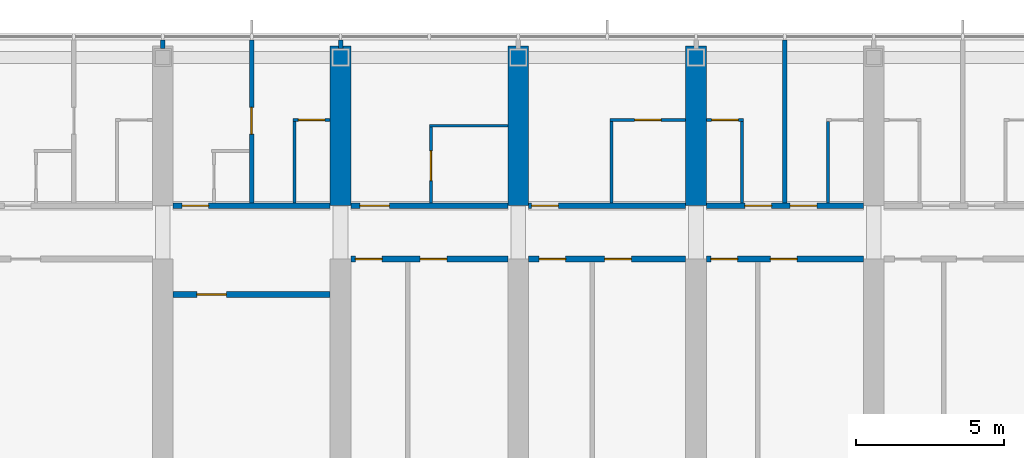
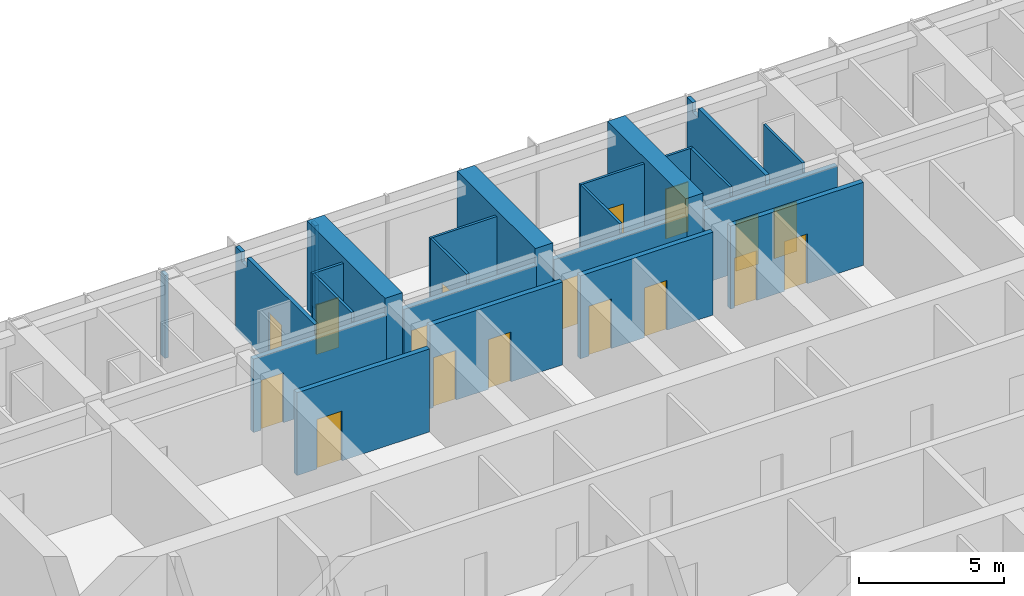
# One storey, part 17 of 24: 24 walls, 17 doors, 17 openings.
"""IFC4 building model written with IfcOpenShell, lengths in metres."""

import ifcopenshell
import ifcopenshell.guid

model = None  # the IFC model being written
_history = None  # IfcOwnerHistory: only IFC2X3 demands one
_inside = {}  # id of a spatial element -> (the spatial element, [elements in it])
_under = {}  # id of a project, library or spatial element -> (it, [spatial elements below it])
_declared = {}  # id of a project -> (the project, [libraries it declares])
_typed = {}  # id of a type object -> (the type object, [elements of that type])
_made_of = {}  # id of a material, layer set ... -> (it, [elements and type objects made of it])


def new_model(schema):
    """Start an empty IFC model of exactly this schema.

    Asked for "IFC4X3", IfcOpenShell would pick the latest addendum, in which some entities
    have other attributes; the version numbers below select the first issue.
    IFC2X3 requires an IfcOwnerHistory on every rooted entity: one is made here for all.
    """
    global model, _history
    if schema == "IFC4X3":
        model = ifcopenshell.file(schema_version=(4, 3, 0, 0))
    else:
        model = ifcopenshell.file(schema=schema)
    _inside.clear()
    _under.clear()
    _declared.clear()
    _typed.clear()
    _made_of.clear()
    _history = None
    if model.schema == "IFC2X3":
        org = make("IfcOrganization", Name="unknown")
        user = make(
            "IfcPersonAndOrganization",
            ThePerson=make("IfcPerson", FamilyName="unknown"),
            TheOrganization=org,
        )
        app = make(
            "IfcApplication",
            ApplicationDeveloper=org,
            Version="unknown",
            ApplicationFullName="unknown",
            ApplicationIdentifier="unknown",
        )
        _history = make(
            "IfcOwnerHistory",
            OwningUser=user,
            OwningApplication=app,
            ChangeAction="ADDED",
            CreationDate=0,
        )
    return model


def make(cls, **values):
    """One entity of the class cls with the attributes given. An attribute that is None is left unset."""
    return model.create_entity(
        cls, **{name: value for name, value in values.items() if value is not None}
    )


def rooted(cls, **values):
    """An entity with a GlobalId (a new one), such as an element, a storey or a relation."""
    return make(cls, GlobalId=ifcopenshell.guid.new(), OwnerHistory=_history, **values)


def si_unit(unit_type, name, prefix=None):
    """IfcSIUnit, for example si_unit("LENGTHUNIT", "METRE", prefix="MILLI")."""
    return make("IfcSIUnit", UnitType=unit_type, Prefix=prefix, Name=name)


def assignment(units):
    """IfcUnitAssignment: the units of a project."""
    return None if units is None else make("IfcUnitAssignment", Units=units)


def point(xyz):
    """IfcCartesianPoint."""
    return None if xyz is None else make("IfcCartesianPoint", Coordinates=xyz)


def direction(xyz):
    """IfcDirection."""
    return None if xyz is None else make("IfcDirection", DirectionRatios=xyz)


def frame(location, z_axis=None, x_axis=None):
    """IfcAxis2Placement3D, a coordinate frame: its origin and axes. An axis left out is left unset."""
    return make(
        "IfcAxis2Placement3D",
        Location=point(location),
        Axis=direction(z_axis),
        RefDirection=direction(x_axis),
    )


def frame_2d(location, x_axis=None):
    """IfcAxis2Placement2D, a coordinate frame in the plane: its origin and x axis."""
    return make(
        "IfcAxis2Placement2D", Location=point(location), RefDirection=direction(x_axis)
    )


def origin():
    """The frame at (0, 0, 0) with its axes left unset."""
    return frame((0.0, 0.0, 0.0))


def place(relative_to, where):
    """IfcLocalPlacement: puts the frame where relative to a parent placement (None: the world)."""
    return make(
        "IfcLocalPlacement", PlacementRelTo=relative_to, RelativePlacement=where
    )


def context(
    kind, dimensions, precision=None, world=None, true_north=None, identifier=None
):
    """IfcGeometricRepresentationContext, for example the 3D "Model" context."""
    return make(
        "IfcGeometricRepresentationContext",
        ContextIdentifier=identifier,
        ContextType=kind,
        CoordinateSpaceDimension=dimensions,
        Precision=precision,
        WorldCoordinateSystem=world,
        TrueNorth=true_north,
    )


def subcontext(parent, identifier, kind, view, scale=None):
    """IfcGeometricRepresentationSubContext, for example "Body" below "Model"."""
    return make(
        "IfcGeometricRepresentationSubContext",
        ContextIdentifier=identifier,
        ContextType=kind,
        ParentContext=parent,
        TargetScale=scale,
        TargetView=view,
    )


def project(units=None, contexts=None):
    """IfcProject with its units and contexts."""
    return rooted(
        "IfcProject",
        Name="project",
        RepresentationContexts=contexts,
        UnitsInContext=assignment(units),
    )


def spatial(cls, under=None, at=None, **own):
    """A site, building, storey or space (cls), placed at a placement, below another one or the project."""
    s = rooted(cls, ObjectPlacement=at, **own)
    if under is not None:
        _under.setdefault(under.id(), (under, []))[1].append(s)
    return s


def polyline(points):
    """IfcPolyline through the points."""
    return make("IfcPolyline", Points=[point(p) for p in points])


def profile(cls, at=None, kind="AREA", **sizes):
    """A parametric profile (cls). Its sizes go by their IFC names, for example OverallWidth=200.0."""
    return make(cls, ProfileType=kind, Position=at, **sizes)


def rectangle(**sizes):
    """IfcRectangleProfileDef."""
    return profile("IfcRectangleProfileDef", **sizes)


def outline(outer, holes=None, kind="AREA"):
    """IfcArbitraryClosedProfileDef: a profile drawn as a closed curve; with holes, ...WithVoids."""
    if holes is None:
        return make("IfcArbitraryClosedProfileDef", ProfileType=kind, OuterCurve=outer)
    return make(
        "IfcArbitraryProfileDefWithVoids",
        ProfileType=kind,
        OuterCurve=outer,
        InnerCurves=holes,
    )


def extrude(swept, where, along, depth):
    """IfcExtrudedAreaSolid: the profile swept, set in the frame where, extruded along a direction by depth."""
    return make(
        "IfcExtrudedAreaSolid",
        SweptArea=swept,
        Position=where,
        ExtrudedDirection=direction(along),
        Depth=depth,
    )


def shape(context_of_items, identifier, shape_type, items):
    """IfcShapeRepresentation: the items that make up one representation, for example the "Body"."""
    return make(
        "IfcShapeRepresentation",
        ContextOfItems=context_of_items,
        RepresentationIdentifier=identifier,
        RepresentationType=shape_type,
        Items=items,
    )


def material(Name=None, Category=None):
    """IfcMaterial."""
    return make("IfcMaterial", Name=Name, Category=Category)


def layer(
    of_material, thickness, ventilated=None, Name=None, Category=None, Priority=None
):
    """IfcMaterialLayer: one layer of a wall or slab, of a material (None: an air gap)."""
    return make(
        "IfcMaterialLayer",
        Material=of_material,
        LayerThickness=thickness,
        IsVentilated=ventilated,
        Name=Name,
        Category=Category,
        Priority=Priority,
    )


def layer_set(layers, Name=None):
    """IfcMaterialLayerSet."""
    return make("IfcMaterialLayerSet", MaterialLayers=layers, LayerSetName=Name)


def made_of(thing, what):
    """Note that an element or type object is made of a material, layer set ...; save() writes the relation."""
    if what is not None:
        _made_of.setdefault(what.id(), (what, []))[1].append(thing)
    return thing


def type_object(cls, material=None, **own):
    """A type object (cls), such as IfcWallType, which elements share."""
    return made_of(rooted(cls, **own), material)


def element(
    cls,
    number,
    at=None,
    inside=None,
    cuts=None,
    type_object=None,
    material=None,
    context=None,
    identifier="Body",
    shape_type=None,
    held_by="IfcProductDefinitionShape",
    body=None,
    shapes=None,
    **own,
):
    """One element of the class cls, such as IfcWall. Its Tag is "e" and its number.

    at: its placement. inside: the storey or other place that contains it. cuts: it is an
    opening in that element (IfcRelVoidsElement). A single representation is given by context,
    identifier, shape_type and body (its items); several are given by shapes. held_by: the class
    of the entity that holds the representations. save() writes the other relations.
    """
    e = rooted(cls, Tag="e%d" % number, ObjectPlacement=at, **own)
    if body is not None:
        shapes = [shape(context, identifier, shape_type, body)]
    if shapes is not None:
        e.Representation = make(held_by, Representations=shapes)
    if inside is not None:
        _inside.setdefault(inside.id(), (inside, []))[1].append(e)
    if cuts is not None:
        rooted(
            "IfcRelVoidsElement", RelatingBuildingElement=cuts, RelatedOpeningElement=e
        )
    if type_object is not None:
        _typed.setdefault(type_object.id(), (type_object, []))[1].append(e)
    return made_of(e, material)


def fill(opening, filler):
    """IfcRelFillsElement: the door or window that sits in an opening."""
    return rooted(
        "IfcRelFillsElement",
        RelatingOpeningElement=opening,
        RelatedBuildingElement=filler,
    )


def aggregate(whole, parts):
    """IfcRelAggregates: a whole, such as a stair, and the parts it consists of."""
    return rooted("IfcRelAggregates", RelatingObject=whole, RelatedObjects=parts)


def save(model, path):
    """Write the relations noted so far, then the file.

    IfcRelAggregates (storeys below a building ...), IfcRelContainedInSpatialStructure (elements
    in a storey), IfcRelDefinesByType, IfcRelAssociatesMaterial and IfcRelDeclares: one each for
    every whole, place, type object, material and project.
    """
    for whole, parts in _under.values():
        aggregate(whole, parts)
    for where, things in _inside.values():
        rooted(
            "IfcRelContainedInSpatialStructure",
            RelatedElements=things,
            RelatingStructure=where,
        )
    for kind, things in _typed.values():
        rooted("IfcRelDefinesByType", RelatedObjects=things, RelatingType=kind)
    for what, things in _made_of.values():
        rooted("IfcRelAssociatesMaterial", RelatedObjects=things, RelatingMaterial=what)
    for by, libraries in _declared.values():
        rooted("IfcRelDeclares", RelatingContext=by, RelatedDefinitions=libraries)
    model.write(path)


model = new_model("IFC4")

# Units and contexts
model_context = context("Model", 3, precision=1e-05, world=origin(), true_north=direction((0.0, 1.0)))
body_context = subcontext(model_context, "Body", "Model", "MODEL_VIEW")
ifc_project = project(units=[si_unit("LENGTHUNIT", "METRE"), si_unit("AREAUNIT", "SQUARE_METRE"), si_unit("VOLUMEUNIT", "CUBIC_METRE"), si_unit("PLANEANGLEUNIT", "RADIAN"), si_unit("MASSUNIT", "GRAM", prefix="KILO")], contexts=[model_context])

# Site, building, storey
site_placement = place(None, origin())
site = spatial("IfcSite", under=ifc_project, at=site_placement, CompositionType="ELEMENT")
building_placement = place(site_placement, origin())
building = spatial("IfcBuilding", under=site, at=building_placement, Name="Orbita Commons", CompositionType="ELEMENT")
storey_placement = place(building_placement, frame((0.0, 0.0, 239.050048828125)))
storey = spatial("IfcBuildingStorey", under=building, at=storey_placement, Name="L59", CompositionType="ELEMENT", Elevation=239.050048828125)

# Wall, opening, door
ifc_material_1 = material(Name="Concrete blockwork", Category="masonry")
ifc_layer_1 = layer(ifc_material_1, 0.199951171875)
ifc_layer_set_1 = layer_set([ifc_layer_1], Name="Concrete blockwork")
wall_type_1 = type_object("IfcWallType", Name="Corridor wall 200 blockwork", PredefinedType="SOLIDWALL", material=ifc_layer_set_1)
wall_1_placement = place(storey_placement, frame((30.35009765625, 47.39990234375, 0.0), z_axis=(0.0, 0.0, 1.0), x_axis=(1.0, 0.0, 0.0)))
wall_1 = element("IfcWall", 1, at=wall_1_placement, inside=storey, type_object=wall_type_1, Name="Corridor wall 200 blockwork L59", PredefinedType="SOLIDWALL", context=body_context, shape_type="SweptSolid", body=[
    extrude(outline(polyline([(0.0, 0.0), (5.2998046875, 0.0), (5.300048828125, 3.099853515625), (0.0, 3.099853515625), (0.0, 0.0)])), frame((0.0, 0.10009765625, 0.0), z_axis=(0.0, -1.0, 0.0), x_axis=(1.0, 0.0, 0.0)), (0.0, 0.0, 1.0), 0.199951171875),
])
opening_1_placement = place(wall_1_placement, frame((0.300048828125, 0.0, 0.0)))
opening_1 = element("IfcOpeningElement", 2, at=opening_1_placement, cuts=wall_1, Name="Opening D11", PredefinedType="OPENING", context=body_context, shape_type="SweptSolid", body=[
    extrude(rectangle(XDim=0.89990234375, YDim=2.10009765625, at=frame_2d((0.449951171875, 1.050048828125))), frame((0.0, 0.10986328125, 0.0), z_axis=(0.0, -1.0, 0.0), x_axis=(1.0, 0.0, 0.0)), (0.0, 0.0, 1.0), 0.219970703125),
])
ifc_material_2 = material(Name="Steel-faced fire door leaf", Category="steel")
door_type_1 = type_object("IfcDoorType", Name="Corridor door 20 min 900x2100", OperationType="SINGLE_SWING_LEFT", PredefinedType="DOOR", material=ifc_material_2)
door_1_placement = place(opening_1_placement, origin())
door_1 = element("IfcDoor", 3, at=door_1_placement, inside=storey, type_object=door_type_1, Name="Guest suite sitting room and kitchenette L59-N04 entrance door", OperationType="SINGLE_SWING_LEFT", OverallHeight=2.10009765625, OverallWidth=0.89990234375, PredefinedType="DOOR", context=body_context, shape_type="SweptSolid", body=[
    extrude(rectangle(XDim=0.89990234375, YDim=2.10009765625, at=frame_2d((0.449951171875, 1.050048828125))), frame((0.0, 0.02490234375, 0.0), z_axis=(0.0, -1.0, 0.0), x_axis=(1.0, 0.0, 0.0)), (0.0, 0.0, 1.0), 0.050048828125),
])
fill(opening_1, door_1)

wall_2_placement = place(storey_placement, frame((36.35009765625, 47.39990234375, 0.0), z_axis=(0.0, 0.0, 1.0), x_axis=(1.0, 0.0, 0.0)))
wall_2 = element("IfcWall", 4, at=wall_2_placement, inside=storey, type_object=wall_type_1, Name="Corridor wall 200 blockwork L59", PredefinedType="SOLIDWALL", context=body_context, shape_type="SweptSolid", body=[
    extrude(outline(polyline([(0.0, 0.0), (5.2998046875, 0.0), (5.300048828125, 3.099853515625), (0.0, 3.099853515625), (0.0, 0.0)])), frame((0.0, 0.10009765625, 0.0), z_axis=(0.0, -1.0, 0.0), x_axis=(1.0, 0.0, 0.0)), (0.0, 0.0, 1.0), 0.199951171875),
])
opening_2_placement = place(wall_2_placement, frame((0.300048828125, 0.0, 0.0)))
opening_2 = element("IfcOpeningElement", 5, at=opening_2_placement, cuts=wall_2, Name="Opening D06", PredefinedType="OPENING", context=body_context, shape_type="SweptSolid", body=[
    extrude(rectangle(XDim=1.0, YDim=2.10009765625, at=frame_2d((0.5, 1.050048828125))), frame((0.0, 0.10986328125, 0.0), z_axis=(0.0, -1.0, 0.0), x_axis=(1.0, 0.0, 0.0)), (0.0, 0.0, 1.0), 0.219970703125),
])
ifc_material_3 = material(Name="Steel-faced fire door leaf", Category="steel")
door_type_2 = type_object("IfcDoorType", Name="Corridor door 20 min 1000x2100", OperationType="SINGLE_SWING_LEFT", PredefinedType="DOOR", material=ifc_material_3)
door_2_placement = place(opening_2_placement, origin())
door_2 = element("IfcDoor", 6, at=door_2_placement, inside=storey, type_object=door_type_2, Name="Accessible bedroom L59-N06 door", OperationType="SINGLE_SWING_LEFT", OverallHeight=2.10009765625, OverallWidth=1.0, PredefinedType="DOOR", context=body_context, shape_type="SweptSolid", body=[
    extrude(rectangle(XDim=1.0, YDim=2.10009765625, at=frame_2d((0.5, 1.050048828125))), frame((0.0, 0.02490234375, 0.0), z_axis=(0.0, -1.0, 0.0), x_axis=(1.0, 0.0, 0.0)), (0.0, 0.0, 1.0), 0.050048828125),
])
fill(opening_2, door_2)

wall_3_placement = place(storey_placement, frame((42.35009765625, 47.39990234375, 0.0), z_axis=(0.0, 0.0, 1.0), x_axis=(1.0, 0.0, 0.0)))
wall_3 = element("IfcWall", 7, at=wall_3_placement, inside=storey, type_object=wall_type_1, Name="Corridor wall 200 blockwork L59", PredefinedType="SOLIDWALL", context=body_context, shape_type="SweptSolid", body=[
    extrude(outline(polyline([(0.0, 0.0), (5.2998046875, 0.0), (5.300048828125, 3.099853515625), (0.0, 3.099853515625), (0.0, 0.0)])), frame((0.0, 0.10009765625, 0.0), z_axis=(0.0, -1.0, 0.0), x_axis=(1.0, 0.0, 0.0)), (0.0, 0.0, 1.0), 0.199951171875),
])
opening_3_placement = place(wall_3_placement, frame((0.10009765625, 0.0, 0.0)))
opening_3 = element("IfcOpeningElement", 8, at=opening_3_placement, cuts=wall_3, Name="Opening D11", PredefinedType="OPENING", context=body_context, shape_type="SweptSolid", body=[
    extrude(rectangle(XDim=0.89990234375, YDim=2.10009765625, at=frame_2d((0.449951171875, 1.050048828125))), frame((0.0, 0.10986328125, 0.0), z_axis=(0.0, -1.0, 0.0), x_axis=(1.0, 0.0, 0.0)), (0.0, 0.0, 1.0), 0.219970703125),
])
door_3_placement = place(opening_3_placement, origin())
door_3 = element("IfcDoor", 9, at=door_3_placement, inside=storey, type_object=door_type_1, Name="Studio apartment with kitchenette L59-N08 door", OperationType="SINGLE_SWING_LEFT", OverallHeight=2.10009765625, OverallWidth=0.89990234375, PredefinedType="DOOR", context=body_context, shape_type="SweptSolid", body=[
    extrude(rectangle(XDim=0.89990234375, YDim=2.10009765625, at=frame_2d((0.449951171875, 1.050048828125))), frame((0.0, 0.02490234375, 0.0), z_axis=(0.0, -1.0, 0.0), x_axis=(1.0, 0.0, 0.0)), (0.0, 0.0, 1.0), 0.050048828125),
])
fill(opening_3, door_3)

# Wall, openings, doors
wall_4_placement = place(storey_placement, frame((48.35009765625, 47.39990234375, 0.0), z_axis=(0.0, 0.0, 1.0), x_axis=(1.0, 0.0, 0.0)))
wall_4 = element("IfcWall", 10, at=wall_4_placement, inside=storey, type_object=wall_type_1, Name="Corridor wall 200 blockwork L59", PredefinedType="SOLIDWALL", context=body_context, shape_type="SweptSolid", body=[
    extrude(outline(polyline([(0.0, 0.0), (5.2998046875, 0.0), (5.300048828125, 3.099853515625), (0.0, 3.099853515625), (0.0, 0.0)])), frame((0.0, 0.10009765625, 0.0), z_axis=(0.0, -1.0, 0.0), x_axis=(1.0, 0.0, 0.0)), (0.0, 0.0, 1.0), 0.199951171875),
])
opening_4_placement = place(wall_4_placement, frame((1.300048828125, 0.0, 0.0)))
opening_4 = element("IfcOpeningElement", 11, at=opening_4_placement, cuts=wall_4, Name="Opening D11", PredefinedType="OPENING", context=body_context, shape_type="SweptSolid", body=[
    extrude(rectangle(XDim=0.89990234375, YDim=2.10009765625, at=frame_2d((0.449951171875, 1.050048828125))), frame((0.0, 0.10986328125, 0.0), z_axis=(0.0, -1.0, 0.0), x_axis=(1.0, 0.0, 0.0)), (0.0, 0.0, 1.0), 0.219970703125),
])
opening_5_placement = place(wall_4_placement, frame((2.824951171875, 0.0, 0.0)))
opening_5 = element("IfcOpeningElement", 12, at=opening_5_placement, cuts=wall_4, Name="Opening D11", PredefinedType="OPENING", context=body_context, shape_type="SweptSolid", body=[
    extrude(rectangle(XDim=0.89990234375, YDim=2.10009765625, at=frame_2d((0.449951171875, 1.050048828125))), frame((0.0, 0.10986328125, 0.0), z_axis=(0.0, -1.0, 0.0), x_axis=(1.0, 0.0, 0.0)), (0.0, 0.0, 1.0), 0.219970703125),
])
door_4_placement = place(opening_4_placement, origin())
door_4 = element("IfcDoor", 13, at=door_4_placement, inside=storey, type_object=door_type_1, Name="Cluster bedroom L59-N10 door", OperationType="SINGLE_SWING_LEFT", OverallHeight=2.10009765625, OverallWidth=0.89990234375, PredefinedType="DOOR", context=body_context, shape_type="SweptSolid", body=[
    extrude(rectangle(XDim=0.89990234375, YDim=2.10009765625, at=frame_2d((0.449951171875, 1.050048828125))), frame((0.0, 0.02490234375, 0.0), z_axis=(0.0, -1.0, 0.0), x_axis=(1.0, 0.0, 0.0)), (0.0, 0.0, 1.0), 0.050048828125),
])
fill(opening_4, door_4)
door_5_placement = place(opening_5_placement, origin())
door_5 = element("IfcDoor", 14, at=door_5_placement, inside=storey, type_object=door_type_1, Name="Cluster bedroom L59-N11 door", OperationType="SINGLE_SWING_LEFT", OverallHeight=2.10009765625, OverallWidth=0.89990234375, PredefinedType="DOOR", context=body_context, shape_type="SweptSolid", body=[
    extrude(rectangle(XDim=0.89990234375, YDim=2.10009765625, at=frame_2d((0.449951171875, 1.050048828125))), frame((0.0, 0.02490234375, 0.0), z_axis=(0.0, -1.0, 0.0), x_axis=(1.0, 0.0, 0.0)), (0.0, 0.0, 1.0), 0.050048828125),
])
fill(opening_5, door_5)

ifc_material_4 = material(Name="Hollow concrete block 200", Category="concrete")
ifc_layer_2 = layer(ifc_material_4, 0.199951171875)
ifc_layer_set_2 = layer_set([ifc_layer_2], Name="Hollow concrete block 200")
wall_type_2 = type_object("IfcWallType", Name="Corridor wall 200 hollow concrete block", PredefinedType="SOLIDWALL", material=ifc_layer_set_2)
wall_5_placement = place(storey_placement, frame((36.35009765625, 45.60009765625, 0.0), z_axis=(0.0, 0.0, 1.0), x_axis=(1.0, 0.0, 0.0)))
wall_5 = element("IfcWall", 15, at=wall_5_placement, inside=storey, type_object=wall_type_2, Name="Corridor wall 200 hollow concrete block L59", PredefinedType="SOLIDWALL", context=body_context, shape_type="SweptSolid", body=[
    extrude(rectangle(XDim=5.2998046875, YDim=0.199951171875, at=frame_2d((2.64990234375, 0.0))), origin(), (0.0, 0.0, 1.0), 3.5),
])
opening_6_placement = place(wall_5_placement, frame((0.14990234375, 0.0, 0.0)))
opening_6 = element("IfcOpeningElement", 16, at=opening_6_placement, cuts=wall_5, Name="Opening D11", PredefinedType="OPENING", context=body_context, shape_type="SweptSolid", body=[
    extrude(rectangle(XDim=0.89990234375, YDim=2.10009765625, at=frame_2d((0.449951171875, 1.050048828125))), frame((0.0, 0.10986328125, 0.0), z_axis=(0.0, -1.0, 0.0), x_axis=(1.0, 0.0, 0.0)), (0.0, 0.0, 1.0), 0.219970703125),
])
opening_7_placement = place(wall_5_placement, frame((2.340087890625, 0.0, 0.0)))
opening_7 = element("IfcOpeningElement", 17, at=opening_7_placement, cuts=wall_5, Name="Opening D11", PredefinedType="OPENING", context=body_context, shape_type="SweptSolid", body=[
    extrude(rectangle(XDim=0.89990234375, YDim=2.10009765625, at=frame_2d((0.449951171875, 1.050048828125))), frame((0.0, 0.10986328125, 0.0), z_axis=(0.0, -1.0, 0.0), x_axis=(1.0, 0.0, 0.0)), (0.0, 0.0, 1.0), 0.219970703125),
])
door_6_placement = place(opening_6_placement, origin())
door_6 = element("IfcDoor", 18, at=door_6_placement, inside=storey, type_object=door_type_1, Name="Equipment store L59-BDN36n door", OperationType="SINGLE_SWING_LEFT", OverallHeight=2.10009765625, OverallWidth=0.89990234375, PredefinedType="DOOR", context=body_context, shape_type="SweptSolid", body=[
    extrude(rectangle(XDim=0.89990234375, YDim=2.10009765625, at=frame_2d((0.449951171875, 1.050048828125))), frame((0.0, 0.02490234375, 0.0), z_axis=(0.0, -1.0, 0.0), x_axis=(1.0, 0.0, 0.0)), (0.0, 0.0, 1.0), 0.050048828125),
])
fill(opening_6, door_6)
door_7_placement = place(opening_7_placement, origin())
door_7 = element("IfcDoor", 19, at=door_7_placement, inside=storey, type_object=door_type_1, Name="IT and print room L59-BDN36 door", OperationType="SINGLE_SWING_LEFT", OverallHeight=2.10009765625, OverallWidth=0.89990234375, PredefinedType="DOOR", context=body_context, shape_type="SweptSolid", body=[
    extrude(rectangle(XDim=0.89990234375, YDim=2.10009765625, at=frame_2d((0.449951171875, 1.050048828125))), frame((0.0, 0.02490234375, 0.0), z_axis=(0.0, -1.0, 0.0), x_axis=(1.0, 0.0, 0.0)), (0.0, 0.0, 1.0), 0.050048828125),
])
fill(opening_7, door_7)

wall_6_placement = place(storey_placement, frame((42.35009765625, 45.60009765625, 0.0), z_axis=(0.0, 0.0, 1.0), x_axis=(1.0, 0.0, 0.0)))
wall_6 = element("IfcWall", 20, at=wall_6_placement, inside=storey, type_object=wall_type_2, Name="Corridor wall 200 hollow concrete block L59", PredefinedType="SOLIDWALL", context=body_context, shape_type="SweptSolid", body=[
    extrude(rectangle(XDim=5.2998046875, YDim=0.199951171875, at=frame_2d((2.64990234375, 0.0))), origin(), (0.0, 0.0, 1.0), 3.5),
])
opening_8_placement = place(wall_6_placement, frame((0.35009765625, 0.0, 0.0)))
opening_8 = element("IfcOpeningElement", 21, at=opening_8_placement, cuts=wall_6, Name="Opening D11", PredefinedType="OPENING", context=body_context, shape_type="SweptSolid", body=[
    extrude(rectangle(XDim=0.89990234375, YDim=2.10009765625, at=frame_2d((0.449951171875, 1.050048828125))), frame((0.0, 0.10986328125, 0.0), z_axis=(0.0, -1.0, 0.0), x_axis=(1.0, 0.0, 0.0)), (0.0, 0.0, 1.0), 0.219970703125),
])
opening_9_placement = place(wall_6_placement, frame((2.56494140625, 0.0, 0.0)))
opening_9 = element("IfcOpeningElement", 22, at=opening_9_placement, cuts=wall_6, Name="Opening D11", PredefinedType="OPENING", context=body_context, shape_type="SweptSolid", body=[
    extrude(rectangle(XDim=0.89990234375, YDim=2.10009765625, at=frame_2d((0.449951171875, 1.050048828125))), frame((0.0, 0.10986328125, 0.0), z_axis=(0.0, -1.0, 0.0), x_axis=(1.0, 0.0, 0.0)), (0.0, 0.0, 1.0), 0.219970703125),
])
door_8_placement = place(opening_8_placement, origin())
door_8 = element("IfcDoor", 23, at=door_8_placement, inside=storey, type_object=door_type_1, Name="Luggage store L59-BDN42n door", OperationType="SINGLE_SWING_LEFT", OverallHeight=2.10009765625, OverallWidth=0.89990234375, PredefinedType="DOOR", context=body_context, shape_type="SweptSolid", body=[
    extrude(rectangle(XDim=0.89990234375, YDim=2.10009765625, at=frame_2d((0.449951171875, 1.050048828125))), frame((0.0, 0.02490234375, 0.0), z_axis=(0.0, -1.0, 0.0), x_axis=(1.0, 0.0, 0.0)), (0.0, 0.0, 1.0), 0.050048828125),
])
fill(opening_8, door_8)
door_9_placement = place(opening_9_placement, origin())
door_9 = element("IfcDoor", 24, at=door_9_placement, inside=storey, type_object=door_type_1, Name="Ventilation plant room south L59-BDN42 door", OperationType="SINGLE_SWING_LEFT", OverallHeight=2.10009765625, OverallWidth=0.89990234375, PredefinedType="DOOR", context=body_context, shape_type="SweptSolid", body=[
    extrude(rectangle(XDim=0.89990234375, YDim=2.10009765625, at=frame_2d((0.449951171875, 1.050048828125))), frame((0.0, 0.02490234375, 0.0), z_axis=(0.0, -1.0, 0.0), x_axis=(1.0, 0.0, 0.0)), (0.0, 0.0, 1.0), 0.050048828125),
])
fill(opening_9, door_9)

wall_7_placement = place(storey_placement, frame((48.35009765625, 45.60009765625, 0.0), z_axis=(0.0, 0.0, 1.0), x_axis=(1.0, 0.0, 0.0)))
wall_7 = element("IfcWall", 25, at=wall_7_placement, inside=storey, type_object=wall_type_2, Name="Corridor wall 200 hollow concrete block L59", PredefinedType="SOLIDWALL", context=body_context, shape_type="SweptSolid", body=[
    extrude(rectangle(XDim=5.2998046875, YDim=0.199951171875, at=frame_2d((2.64990234375, 0.0))), origin(), (0.0, 0.0, 1.0), 3.5),
])
opening_10_placement = place(wall_7_placement, frame((0.14990234375, 0.0, 0.0)))
opening_10 = element("IfcOpeningElement", 26, at=opening_10_placement, cuts=wall_7, Name="Opening D11", PredefinedType="OPENING", context=body_context, shape_type="SweptSolid", body=[
    extrude(rectangle(XDim=0.89990234375, YDim=2.10009765625, at=frame_2d((0.449951171875, 1.050048828125))), frame((0.0, 0.10986328125, 0.0), z_axis=(0.0, -1.0, 0.0), x_axis=(1.0, 0.0, 0.0)), (0.0, 0.0, 1.0), 0.219970703125),
])
opening_11_placement = place(wall_7_placement, frame((2.159912109375, 0.0, 0.0)))
opening_11 = element("IfcOpeningElement", 27, at=opening_11_placement, cuts=wall_7, Name="Opening D11", PredefinedType="OPENING", context=body_context, shape_type="SweptSolid", body=[
    extrude(rectangle(XDim=0.89990234375, YDim=2.10009765625, at=frame_2d((0.449951171875, 1.050048828125))), frame((0.0, 0.10986328125, 0.0), z_axis=(0.0, -1.0, 0.0), x_axis=(1.0, 0.0, 0.0)), (0.0, 0.0, 1.0), 0.219970703125),
])
door_10_placement = place(opening_10_placement, origin())
door_10 = element("IfcDoor", 28, at=door_10_placement, inside=storey, type_object=door_type_1, Name="Battery and UPS room L59-BDN48n door", OperationType="SINGLE_SWING_LEFT", OverallHeight=2.10009765625, OverallWidth=0.89990234375, PredefinedType="DOOR", context=body_context, shape_type="SweptSolid", body=[
    extrude(rectangle(XDim=0.89990234375, YDim=2.10009765625, at=frame_2d((0.449951171875, 1.050048828125))), frame((0.0, 0.02490234375, 0.0), z_axis=(0.0, -1.0, 0.0), x_axis=(1.0, 0.0, 0.0)), (0.0, 0.0, 1.0), 0.050048828125),
])
fill(opening_10, door_10)
door_11_placement = place(opening_11_placement, origin())
door_11 = element("IfcDoor", 29, at=door_11_placement, inside=storey, type_object=door_type_1, Name="Faculty pantry L59-BDN48 door", OperationType="SINGLE_SWING_LEFT", OverallHeight=2.10009765625, OverallWidth=0.89990234375, PredefinedType="DOOR", context=body_context, shape_type="SweptSolid", body=[
    extrude(rectangle(XDim=0.89990234375, YDim=2.10009765625, at=frame_2d((0.449951171875, 1.050048828125))), frame((0.0, 0.02490234375, 0.0), z_axis=(0.0, -1.0, 0.0), x_axis=(1.0, 0.0, 0.0)), (0.0, 0.0, 1.0), 0.050048828125),
])
fill(opening_11, door_11)

# Wall, opening, door
wall_8_placement = place(storey_placement, frame((30.35009765625, 44.39990234375, 0.0), z_axis=(0.0, 0.0, 1.0), x_axis=(1.0, 0.0, 0.0)))
wall_8 = element("IfcWall", 30, at=wall_8_placement, inside=storey, type_object=wall_type_2, Name="Corridor wall 200 hollow concrete block L59", PredefinedType="SOLIDWALL", context=body_context, shape_type="SweptSolid", body=[
    extrude(rectangle(XDim=5.2998046875, YDim=0.199951171875, at=frame_2d((2.64990234375, 0.0))), origin(), (0.0, 0.0, 1.0), 3.5),
])
opening_12_placement = place(wall_8_placement, frame((0.800048828125, 0.0, 0.0)))
opening_12 = element("IfcOpeningElement", 31, at=opening_12_placement, cuts=wall_8, Name="Opening D06", PredefinedType="OPENING", context=body_context, shape_type="SweptSolid", body=[
    extrude(rectangle(XDim=1.0, YDim=2.10009765625, at=frame_2d((0.5, 1.050048828125))), frame((0.0, 0.10986328125, 0.0), z_axis=(0.0, -1.0, 0.0), x_axis=(1.0, 0.0, 0.0)), (0.0, 0.0, 1.0), 0.219970703125),
])
door_12_placement = place(opening_12_placement, origin())
door_12 = element("IfcDoor", 32, at=door_12_placement, inside=storey, type_object=door_type_2, Name="Electrical and data room L59-BDN30 door", OperationType="SINGLE_SWING_LEFT", OverallHeight=2.10009765625, OverallWidth=1.0, PredefinedType="DOOR", context=body_context, shape_type="SweptSolid", body=[
    extrude(rectangle(XDim=1.0, YDim=2.10009765625, at=frame_2d((0.5, 1.050048828125))), frame((0.0, 0.02490234375, 0.0), z_axis=(0.0, -1.0, 0.0), x_axis=(1.0, 0.0, 0.0)), (0.0, 0.0, 1.0), 0.050048828125),
])
fill(opening_12, door_12)

# Walls
ifc_material_5 = material(Name="Concrete C50/60", Category="concrete")
ifc_layer_3 = layer(ifc_material_5, 0.699951171875)
ifc_layer_set_3 = layer_set([ifc_layer_3], Name="Concrete C50/60")
wall_type_3 = type_object("IfcWallType", Name="Cross wall 700 C50/60", PredefinedType="SHEAR", material=ifc_layer_set_3)
for number, where, z_axis, x_axis, name in (
    (33, (36.0, 47.39990234375, 0.0), (0.0, 0.0, 1.0), (0.0, 1.0, 0.0), "Cross wall 7 north outer L59"),
    (34, (42.0, 47.39990234375, 0.0), (0.0, 0.0, 1.0), (0.0, 1.0, 0.0), "Cross wall 8 north outer L59"),
    (35, (48.0, 47.39990234375, 0.0), (0.0, 0.0, 1.0), (0.0, 1.0, 0.0), "Cross wall 9 north outer L59"),
):
    element("IfcWall", number, at=place(storey_placement, frame(where, z_axis=z_axis, x_axis=x_axis)), inside=storey, type_object=wall_type_3, Name=name, PredefinedType="SHEAR", context=body_context, shape_type="SweptSolid", body=[
        extrude(rectangle(XDim=5.400146484375, YDim=0.699951171875, at=frame_2d((2.7001953125, 0.0))), origin(), (0.0, 0.0, 1.0), 3.75),
    ])

# Wall, opening, door
ifc_material_6 = material(Name="Moisture-resistant plasterboard on steel studs", Category="steel")
ifc_layer_4 = layer(ifc_material_6, 0.10009765625)
ifc_layer_set_4 = layer_set([ifc_layer_4], Name="Moisture-resistant plasterboard on steel studs")
wall_type_4 = type_object("IfcWallType", Name="En-suite partition 100", PredefinedType="PARTITIONING", material=ifc_layer_set_4)
wall_9_placement = place(storey_placement, frame((34.39990234375, 50.300048828125, 0.0), z_axis=(0.0, 0.0, 1.0), x_axis=(1.0, 0.0, 0.0)))
wall_9 = element("IfcWall", 36, at=wall_9_placement, inside=storey, type_object=wall_type_4, Name="En-suite partition 100 L59", PredefinedType="PARTITIONING", context=body_context, shape_type="SweptSolid", body=[
    extrude(rectangle(XDim=1.25, YDim=0.10009765625, at=frame_2d((0.625, 0.0))), origin(), (0.0, 0.0, 1.0), 3.5),
])
opening_13_placement = place(wall_9_placement, frame((0.175048828125, 0.0, 0.0)))
opening_13 = element("IfcOpeningElement", 37, at=opening_13_placement, cuts=wall_9, Name="Opening D09", PredefinedType="OPENING", context=body_context, shape_type="SweptSolid", body=[
    extrude(rectangle(XDim=0.89990234375, YDim=2.10009765625, at=frame_2d((0.449951171875, 1.050048828125))), frame((0.0, 0.06005859375, 0.0), z_axis=(0.0, -1.0, 0.0), x_axis=(1.0, 0.0, 0.0)), (0.0, 0.0, 1.0), 0.1201171875),
])
ifc_material_7 = material(Name="Laminated timber door leaf", Category="wood")
door_type_3 = type_object("IfcDoorType", Name="En-suite door 900x2100", OperationType="SINGLE_SWING_RIGHT", PredefinedType="DOOR", material=ifc_material_7)
door_13_placement = place(opening_13_placement, origin())
door_13 = element("IfcDoor", 38, at=door_13_placement, inside=storey, type_object=door_type_3, Name="En-suite L59-N05 door", OperationType="SINGLE_SWING_RIGHT", OverallHeight=2.10009765625, OverallWidth=0.89990234375, PredefinedType="DOOR", context=body_context, shape_type="SweptSolid", body=[
    extrude(rectangle(XDim=0.89990234375, YDim=2.10009765625, at=frame_2d((0.449951171875, 1.050048828125))), frame((0.0, 0.02490234375, 0.0), z_axis=(0.0, -1.0, 0.0), x_axis=(1.0, 0.0, 0.0)), (0.0, 0.0, 1.0), 0.050048828125),
])
fill(opening_13, door_13)

# Walls
wall_10_placement = place(storey_placement, frame((34.449951171875, 50.25, 0.0), z_axis=(0.0, 0.0, 1.0), x_axis=(0.0, -1.0, 0.0)))
element("IfcWall", 39, at=wall_10_placement, inside=storey, type_object=wall_type_4, Name="En-suite partition 100 L59", PredefinedType="PARTITIONING", context=body_context, shape_type="SweptSolid", body=[
    extrude(outline(polyline([(0.0, 0.0), (2.75, 0.0), (2.75, 3.099853515625), (2.701904296875, 3.099853515625), (2.699951171875, 3.5), (0.0, 3.5), (0.0, 0.0)])), frame((0.0, 0.050048828125, 0.0), z_axis=(0.0, -1.0, 0.0), x_axis=(1.0, 0.0, 0.0)), (0.0, 0.0, 1.0), 0.10009765625),
])
wall_11_placement = place(storey_placement, frame((39.0, 50.10009765625, 0.0), z_axis=(0.0, 0.0, 1.0), x_axis=(1.0, 0.0, 0.0)))
element("IfcWall", 40, at=wall_11_placement, inside=storey, type_object=wall_type_4, Name="En-suite partition 100 L59", PredefinedType="PARTITIONING", context=body_context, shape_type="SweptSolid", body=[
    extrude(rectangle(XDim=2.64990234375, YDim=0.10009765625, at=frame_2d((1.324951171875, 0.0))), origin(), (0.0, 0.0, 1.0), 3.5),
])

# Wall, opening, door
wall_12_placement = place(storey_placement, frame((39.050048828125, 50.050048828125, 0.0), z_axis=(0.0, 0.0, 1.0), x_axis=(0.0, -1.0, 0.0)))
wall_12 = element("IfcWall", 41, at=wall_12_placement, inside=storey, type_object=wall_type_4, Name="En-suite partition 100 L59", PredefinedType="PARTITIONING", context=body_context, shape_type="SweptSolid", body=[
    extrude(outline(polyline([(0.0, 0.0), (2.550048828125, 0.0), (2.550048828125, 3.099853515625), (2.501953125, 3.099853515625), (2.5, 3.5), (0.0, 3.5), (0.0, 0.0)])), frame((0.0, 0.050048828125, 0.0), z_axis=(0.0, -1.0, 0.0), x_axis=(1.0, 0.0, 0.0)), (0.0, 0.0, 1.0), 0.10009765625),
])
opening_14_placement = place(wall_12_placement, frame((0.800048828125, 0.0, 0.0)))
opening_14 = element("IfcOpeningElement", 42, at=opening_14_placement, cuts=wall_12, Name="Opening D13", PredefinedType="OPENING", context=body_context, shape_type="SweptSolid", body=[
    extrude(rectangle(XDim=1.0, YDim=2.10009765625, at=frame_2d((0.5, 1.050048828125))), frame((0.0, 0.06005859375, 0.0), z_axis=(0.0, -1.0, 0.0), x_axis=(1.0, 0.0, 0.0)), (0.0, 0.0, 1.0), 0.1201171875),
])
ifc_material_8 = material(Name="Laminated timber door leaf", Category="wood")
door_type_4 = type_object("IfcDoorType", Name="En-suite door 1000x2100", OperationType="SINGLE_SWING_RIGHT", PredefinedType="DOOR", material=ifc_material_8)
door_14_placement = place(opening_14_placement, origin())
door_14 = element("IfcDoor", 43, at=door_14_placement, inside=storey, type_object=door_type_4, Name="Accessible shower room L59-N06 door", OperationType="SINGLE_SWING_RIGHT", OverallHeight=2.10009765625, OverallWidth=1.0, PredefinedType="DOOR", context=body_context, shape_type="SweptSolid", body=[
    extrude(rectangle(XDim=1.0, YDim=2.10009765625, at=frame_2d((0.5, 1.050048828125))), frame((0.0, 0.02490234375, 0.0), z_axis=(0.0, -1.0, 0.0), x_axis=(1.0, 0.0, 0.0)), (0.0, 0.0, 1.0), 0.050048828125),
])
fill(opening_14, door_14)

wall_13_placement = place(storey_placement, frame((45.10009765625, 50.300048828125, 0.0), z_axis=(0.0, 0.0, 1.0), x_axis=(1.0, 0.0, 0.0)))
wall_13 = element("IfcWall", 44, at=wall_13_placement, inside=storey, type_object=wall_type_4, Name="En-suite partition 100 L59", PredefinedType="PARTITIONING", context=body_context, shape_type="SweptSolid", body=[
    extrude(rectangle(XDim=2.5498046875, YDim=0.10009765625, at=frame_2d((1.27490234375, 0.0))), origin(), (0.0, 0.0, 1.0), 3.5),
])
opening_15_placement = place(wall_13_placement, frame((0.824951171875, 0.0, 0.0)))
opening_15 = element("IfcOpeningElement", 45, at=opening_15_placement, cuts=wall_13, Name="Opening D09", PredefinedType="OPENING", context=body_context, shape_type="SweptSolid", body=[
    extrude(rectangle(XDim=0.89990234375, YDim=2.10009765625, at=frame_2d((0.449951171875, 1.050048828125))), frame((0.0, 0.06005859375, 0.0), z_axis=(0.0, -1.0, 0.0), x_axis=(1.0, 0.0, 0.0)), (0.0, 0.0, 1.0), 0.1201171875),
])
door_15_placement = place(opening_15_placement, origin())
door_15 = element("IfcDoor", 46, at=door_15_placement, inside=storey, type_object=door_type_3, Name="En-suite L59-N08 door", OperationType="SINGLE_SWING_RIGHT", OverallHeight=2.10009765625, OverallWidth=0.89990234375, PredefinedType="DOOR", context=body_context, shape_type="SweptSolid", body=[
    extrude(rectangle(XDim=0.89990234375, YDim=2.10009765625, at=frame_2d((0.449951171875, 1.050048828125))), frame((0.0, 0.02490234375, 0.0), z_axis=(0.0, -1.0, 0.0), x_axis=(1.0, 0.0, 0.0)), (0.0, 0.0, 1.0), 0.050048828125),
])
fill(opening_15, door_15)

# Wall
wall_14_placement = place(storey_placement, frame((45.14990234375, 50.25, 0.0), z_axis=(0.0, 0.0, 1.0), x_axis=(0.0, -1.0, 0.0)))
element("IfcWall", 47, at=wall_14_placement, inside=storey, type_object=wall_type_4, Name="En-suite partition 100 L59", PredefinedType="PARTITIONING", context=body_context, shape_type="SweptSolid", body=[
    extrude(outline(polyline([(0.0, 0.0), (2.75, 0.0), (2.75, 3.099853515625), (2.701904296875, 3.099853515625), (2.699951171875, 3.5), (0.0, 3.5), (0.0, 0.0)])), frame((0.0, 0.050048828125, 0.0), z_axis=(0.0, -1.0, 0.0), x_axis=(1.0, 0.0, 0.0)), (0.0, 0.0, 1.0), 0.10009765625),
])

# Wall, opening, door
wall_15_placement = place(storey_placement, frame((48.35009765625, 50.300048828125, 0.0), z_axis=(0.0, 0.0, 1.0), x_axis=(1.0, 0.0, 0.0)))
wall_15 = element("IfcWall", 48, at=wall_15_placement, inside=storey, type_object=wall_type_4, Name="En-suite partition 100 L59", PredefinedType="PARTITIONING", context=body_context, shape_type="SweptSolid", body=[
    extrude(rectangle(XDim=1.25, YDim=0.10009765625, at=frame_2d((0.625, 0.0))), origin(), (0.0, 0.0, 1.0), 3.5),
])
opening_16_placement = place(wall_15_placement, frame((0.175048828125, 0.0, 0.0)))
opening_16 = element("IfcOpeningElement", 49, at=opening_16_placement, cuts=wall_15, Name="Opening D09", PredefinedType="OPENING", context=body_context, shape_type="SweptSolid", body=[
    extrude(rectangle(XDim=0.89990234375, YDim=2.10009765625, at=frame_2d((0.449951171875, 1.050048828125))), frame((0.0, 0.06005859375, 0.0), z_axis=(0.0, -1.0, 0.0), x_axis=(1.0, 0.0, 0.0)), (0.0, 0.0, 1.0), 0.1201171875),
])
door_16_placement = place(opening_16_placement, origin())
door_16 = element("IfcDoor", 50, at=door_16_placement, inside=storey, type_object=door_type_3, Name="En-suite L59-N10 door", OperationType="SINGLE_SWING_RIGHT", OverallHeight=2.10009765625, OverallWidth=0.89990234375, PredefinedType="DOOR", context=body_context, shape_type="SweptSolid", body=[
    extrude(rectangle(XDim=0.89990234375, YDim=2.10009765625, at=frame_2d((0.449951171875, 1.050048828125))), frame((0.0, 0.02490234375, 0.0), z_axis=(0.0, -1.0, 0.0), x_axis=(1.0, 0.0, 0.0)), (0.0, 0.0, 1.0), 0.050048828125),
])
fill(opening_16, door_16)

# Walls
for number, where, z_axis, x_axis, name in (
    (51, (49.550048828125, 50.25, 0.0), (0.0, 0.0, 1.0), (0.0, -1.0, 0.0), "En-suite partition 100 L59"),
    (52, (52.449951171875, 50.25, 0.0), (0.0, 0.0, 1.0), (0.0, -1.0, 0.0), "En-suite partition 100 L59"),
):
    element("IfcWall", number, at=place(storey_placement, frame(where, z_axis=z_axis, x_axis=x_axis)), inside=storey, type_object=wall_type_4, Name=name, PredefinedType="PARTITIONING", context=body_context, shape_type="SweptSolid", body=[
        extrude(outline(polyline([(0.0, 0.0), (2.75, 0.0), (2.75, 3.099853515625), (2.701904296875, 3.099853515625), (2.699951171875, 3.5), (0.0, 3.5), (0.0, 0.0)])), frame((0.0, 0.050048828125, 0.0), z_axis=(0.0, -1.0, 0.0), x_axis=(1.0, 0.0, 0.0)), (0.0, 0.0, 1.0), 0.10009765625),
    ])

# Wall, opening, door
ifc_material_9 = material(Name="Gypsum plasterboard on steel studs", Category="steel")
ifc_layer_5 = layer(ifc_material_9, 0.14990234375)
ifc_layer_set_5 = layer_set([ifc_layer_5], Name="Gypsum plasterboard on steel studs")
wall_type_5 = type_object("IfcWallType", Name="Partition 150 plasterboard", PredefinedType="PARTITIONING", material=ifc_layer_set_5)
wall_16_placement = place(storey_placement, frame((33.0, 52.989990234375, 0.0), z_axis=(0.0, 0.0, 1.0), x_axis=(0.0, -1.0, 0.0)))
wall_16 = element("IfcWall", 53, at=wall_16_placement, inside=storey, type_object=wall_type_5, Name="Partition 150 plasterboard L59", PredefinedType="PARTITIONING", context=body_context, shape_type="SweptSolid", body=[
    extrude(outline(polyline([(0.0, 0.0), (5.489990234375, 0.0), (5.489990234375, 3.099853515625), (5.44189453125, 3.099853515625), (5.43994140625, 3.5), (0.7919921875, 3.5), (0.7900390625, 3.099853515625), (0.39208984375, 3.099853515625), (0.389892578125, 3.5), (0.0, 3.5), (0.0, 0.0)])), frame((0.0, 0.074951171875, 0.0), z_axis=(0.0, -1.0, 0.0), x_axis=(1.0, 0.0, 0.0)), (0.0, 0.0, 1.0), 0.14990234375),
])
opening_17_placement = place(wall_16_placement, frame((2.27001953125, 0.0, 0.0)))
opening_17 = element("IfcOpeningElement", 54, at=opening_17_placement, cuts=wall_16, Name="Opening D09", PredefinedType="OPENING", context=body_context, shape_type="SweptSolid", body=[
    extrude(rectangle(XDim=0.89990234375, YDim=2.10009765625, at=frame_2d((0.449951171875, 1.050048828125))), frame((0.0, 0.0849609375, 0.0), z_axis=(0.0, -1.0, 0.0), x_axis=(1.0, 0.0, 0.0)), (0.0, 0.0, 1.0), 0.169921875),
])
door_17_placement = place(opening_17_placement, origin())
door_17 = element("IfcDoor", 55, at=door_17_placement, inside=storey, type_object=door_type_3, Name="Guest suite bedroom L59-N04 door", OperationType="SINGLE_SWING_RIGHT", OverallHeight=2.10009765625, OverallWidth=0.89990234375, PredefinedType="DOOR", context=body_context, shape_type="SweptSolid", body=[
    extrude(rectangle(XDim=0.89990234375, YDim=2.10009765625, at=frame_2d((0.449951171875, 1.050048828125))), frame((0.0, 0.02490234375, 0.0), z_axis=(0.0, -1.0, 0.0), x_axis=(1.0, 0.0, 0.0)), (0.0, 0.0, 1.0), 0.050048828125),
])
fill(opening_17, door_17)

# Walls
for number, where, z_axis, x_axis, name in (
    (56, (30.0, 52.699951171875, 0.0), (0.0, 0.0, 1.0), (0.0, 1.0, 0.0), "Partition 150 plasterboard L59"),
    (57, (36.0, 52.699951171875, 0.0), (0.0, 0.0, 1.0), (0.0, 1.0, 0.0), "Partition 150 plasterboard L59"),
):
    element("IfcWall", number, at=place(storey_placement, frame(where, z_axis=z_axis, x_axis=x_axis)), inside=storey, type_object=wall_type_5, Name=name, PredefinedType="PARTITIONING", context=body_context, shape_type="SweptSolid", body=[
        extrude(rectangle(XDim=0.2900390625, YDim=0.14990234375, at=frame_2d((0.14501953125, 0.0))), origin(), (0.0, 0.0, 1.0), 3.5),
    ])
ifc_material_10 = material(Name="Gypsum plasterboard on steel studs", Category="steel")
ifc_layer_6 = layer(ifc_material_10, 0.14990234375)
ifc_layer_set_6 = layer_set([ifc_layer_6], Name="Gypsum plasterboard on steel studs")
wall_type_6 = type_object("IfcWallType", Name="Party wall 150 plasterboard", PredefinedType="PARTITIONING", material=ifc_layer_set_6)
wall_17_placement = place(storey_placement, frame((51.0, 52.989990234375, 0.0), z_axis=(0.0, 0.0, 1.0), x_axis=(0.0, -1.0, 0.0)))
element("IfcWall", 58, at=wall_17_placement, inside=storey, type_object=wall_type_6, Name="Party wall 150 plasterboard L59", PredefinedType="PARTITIONING", context=body_context, shape_type="SweptSolid", body=[
    extrude(outline(polyline([(0.0, 0.0), (5.489990234375, 0.0), (5.489990234375, 3.099853515625), (5.44189453125, 3.099853515625), (5.43994140625, 3.5), (0.7919921875, 3.5), (0.7900390625, 3.099853515625), (0.39208984375, 3.099853515625), (0.389892578125, 3.5), (0.0, 3.5), (0.0, 0.0)])), frame((0.0, 0.074951171875, 0.0), z_axis=(0.0, -1.0, 0.0), x_axis=(1.0, 0.0, 0.0)), (0.0, 0.0, 1.0), 0.14990234375),
])

save(model, "model.ifc")
